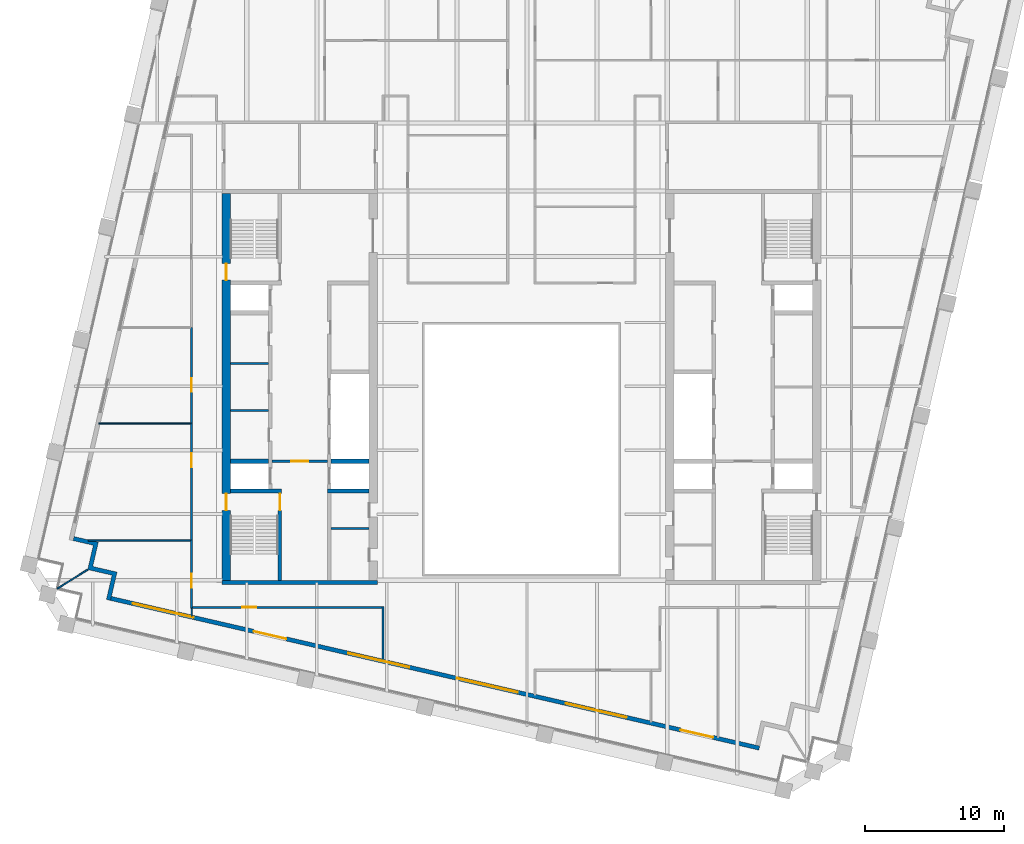
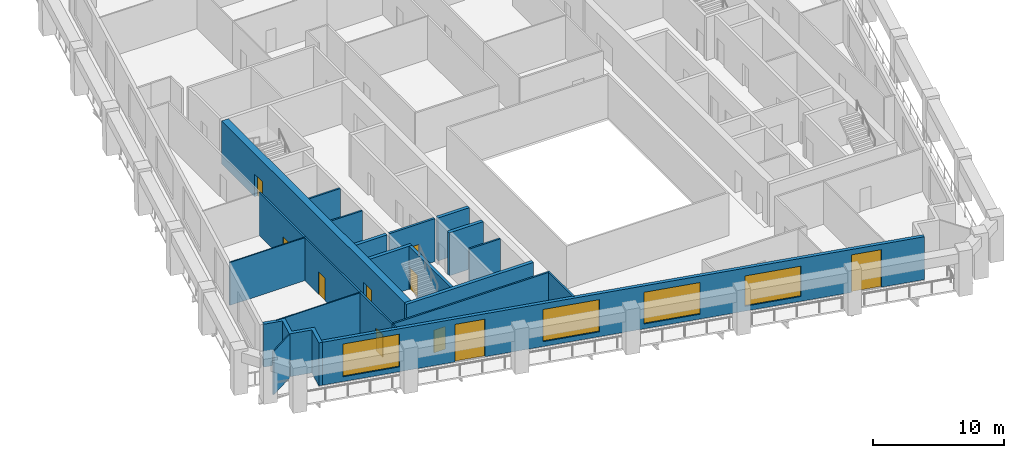
# One storey, part 3 of 9: 22 walls, 10 doors, 4 windows, 14 openings.
"""IFC4 building model written with IfcOpenShell, lengths in metres."""

from ifc_helpers import new_model, si_unit, direction, frame, frame_2d, origin, place, context, subcontext, project, spatial, polyline, rectangle, outline, extrude, material, layer, layer_set, type_object, element, fill, save


model = new_model("IFC4")

# Units and contexts
model_context = context("Model", 3, precision=1e-05, world=origin(), true_north=direction((0.0, 1.0)))
body_context = subcontext(model_context, "Body", "Model", "MODEL_VIEW")
ifc_project = project(units=[si_unit("LENGTHUNIT", "METRE"), si_unit("AREAUNIT", "SQUARE_METRE"), si_unit("VOLUMEUNIT", "CUBIC_METRE"), si_unit("PLANEANGLEUNIT", "RADIAN"), si_unit("MASSUNIT", "GRAM", prefix="KILO")], contexts=[model_context])

# Site, building, storey
site_placement = place(None, origin())
site = spatial("IfcSite", under=ifc_project, at=site_placement, CompositionType="ELEMENT")
building_placement = place(site_placement, origin())
building = spatial("IfcBuilding", under=site, at=building_placement, Name="Ogive Exchange Tower", CompositionType="ELEMENT")
storey_placement = place(building_placement, frame((0.0, 0.0, 276.60009765625)))
storey = spatial("IfcBuildingStorey", under=building, at=storey_placement, Name="L60", CompositionType="ELEMENT", Elevation=276.60009765625)

# Walls
ifc_material_1 = material(Name="Gypsum board partition")
ifc_layer_1 = layer(ifc_material_1, 0.14990234375)
ifc_layer_set_1 = layer_set([ifc_layer_1], Name="Core room partition 150 gypsum")
wall_type_1 = type_object("IfcWallType", Name="Core room partition 150 gypsum", PredefinedType="PARTITIONING", material=ifc_layer_set_1)
for number, where, z_axis, x_axis, name in (
    (1, (-21.0, 9.800048828125, 0.0), (0.0, 0.0, 1.0), (1.0, 0.0, 0.0), "W row A bay partition 1-1"),
    (2, (-21.0, 13.199951171875, 0.0), (0.0, 0.0, 1.0), (1.0, 0.0, 0.0), "W row A bay partition 1-2"),
    (3, (-13.75, 1.300048828125, 0.0), (0.0, 0.0, 1.0), (1.0, 0.0, 0.0), "W south room partition"),
):
    element("IfcWall", number, at=place(storey_placement, frame(where, z_axis=z_axis, x_axis=x_axis)), inside=storey, type_object=wall_type_1, Name=name, PredefinedType="PARTITIONING", context=body_context, shape_type="SweptSolid", body=[
        extrude(rectangle(XDim=2.75, YDim=0.14990234375, at=frame_2d((1.375, 0.0))), origin(), (0.0, 0.0, 1.0), 4.0),
    ])

# Wall, opening, door
ifc_material_2 = material(Name="Fire partition EI 60 150")
ifc_layer_2 = layer(ifc_material_2, 0.14990234375)
ifc_layer_set_2 = layer_set([ifc_layer_2], Name="Fire partition EI 60 150")
wall_type_2 = type_object("IfcWallType", Name="Fire partition EI 60 150", PredefinedType="PARTITIONING", material=ifc_layer_set_2)
wall_1_placement = place(storey_placement, frame((-23.800048828125, -4.47509765625, 0.0), z_axis=(0.0, 0.0, 1.0), x_axis=(0.0, 1.0, 0.0)))
wall_1 = element("IfcWall", 4, at=wall_1_placement, inside=storey, type_object=wall_type_2, Name="L60-PWL-002", PredefinedType="PARTITIONING", context=body_context, shape_type="SweptSolid", body=[
    extrude(rectangle(XDim=4.93505859375, YDim=0.14990234375, at=frame_2d((2.467529296875, 0.0))), origin(), (0.0, 0.0, 1.0), 4.0),
])
opening_1_placement = place(wall_1_placement, frame((1.485107421875, 0.0, 0.0)))
opening_1 = element("IfcOpeningElement", 5, at=opening_1_placement, cuts=wall_1, Name="Opening L60-I25", PredefinedType="OPENING", context=body_context, shape_type="SweptSolid", body=[
    extrude(rectangle(XDim=1.0, YDim=2.10009765625, at=frame_2d((0.5, 1.050048828125))), frame((0.0, 0.0849609375, 0.0), z_axis=(0.0, -1.0, 0.0), x_axis=(1.0, 0.0, 0.0)), (0.0, 0.0, 1.0), 0.169921875),
])
ifc_material_3 = material(Name="Fire door FD 30S 1000 x 2100")
door_type_1 = type_object("IfcDoorType", Name="Fire door FD 30S 1000 x 2100", OperationType="NOTDEFINED", PredefinedType="DOOR", material=ifc_material_3)
door_1_placement = place(opening_1_placement, origin())
door_1 = element("IfcDoor", 6, at=door_1_placement, inside=storey, type_object=door_type_1, Name="L60-IDR-025", ObjectType="DT3", OperationType="SINGLE_SWING_RIGHT", OverallHeight=2.10009765625, OverallWidth=1.0, PredefinedType="DOOR", context=body_context, shape_type="SweptSolid", body=[
    extrude(rectangle(XDim=1.0, YDim=2.10009765625, at=frame_2d((0.5, 1.050048828125))), frame((0.0, 0.02490234375, 0.0), z_axis=(0.0, -1.0, 0.0), x_axis=(1.0, 0.0, 0.0)), (0.0, 0.0, 1.0), 0.050048828125),
])
fill(opening_1, door_1)

wall_2_placement = place(storey_placement, frame((-23.800048828125, 0.409912109375, 0.0), z_axis=(0.0, 0.0, 1.0), x_axis=(0.0, 1.0, 0.0)))
wall_2 = element("IfcWall", 7, at=wall_2_placement, inside=storey, type_object=wall_type_2, Name="L60-PWL-004", PredefinedType="PARTITIONING", context=body_context, shape_type="SweptSolid", body=[
    extrude(rectangle(XDim=8.5, YDim=0.14990234375, at=frame_2d((4.25, 0.0))), origin(), (0.0, 0.0, 1.0), 4.0),
])
opening_2_placement = place(wall_2_placement, frame((5.300048828125, 0.0, 0.0)))
opening_2 = element("IfcOpeningElement", 8, at=opening_2_placement, cuts=wall_2, Name="Opening L60-I24", PredefinedType="OPENING", context=body_context, shape_type="SweptSolid", body=[
    extrude(rectangle(XDim=1.0, YDim=2.10009765625, at=frame_2d((0.5, 1.050048828125))), frame((0.0, 0.0849609375, 0.0), z_axis=(0.0, -1.0, 0.0), x_axis=(1.0, 0.0, 0.0)), (0.0, 0.0, 1.0), 0.169921875),
])
door_2_placement = place(opening_2_placement, origin())
door_2 = element("IfcDoor", 9, at=door_2_placement, inside=storey, type_object=door_type_1, Name="L60-IDR-024", ObjectType="DT3", OperationType="SINGLE_SWING_LEFT", OverallHeight=2.10009765625, OverallWidth=1.0, PredefinedType="DOOR", context=body_context, shape_type="SweptSolid", body=[
    extrude(rectangle(XDim=1.0, YDim=2.10009765625, at=frame_2d((0.5, 1.050048828125))), frame((0.0, 0.02490234375, 0.0), z_axis=(0.0, -1.0, 0.0), x_axis=(1.0, 0.0, 0.0)), (0.0, 0.0, 1.0), 0.050048828125),
])
fill(opening_2, door_2)

wall_3_placement = place(storey_placement, frame((-23.800048828125, 8.909912109375, 0.0), z_axis=(0.0, 0.0, 1.0), x_axis=(0.0, 1.0, 0.0)))
wall_3 = element("IfcWall", 10, at=wall_3_placement, inside=storey, type_object=wall_type_2, Name="L60-PWL-006", PredefinedType="PARTITIONING", context=body_context, shape_type="SweptSolid", body=[
    extrude(rectangle(XDim=6.880126953125, YDim=0.14990234375, at=frame_2d((3.43994140625, 0.0))), origin(), (0.0, 0.0, 1.0), 4.0),
])
opening_3_placement = place(wall_3_placement, frame((2.22998046875, 0.0, 0.0)))
opening_3 = element("IfcOpeningElement", 11, at=opening_3_placement, cuts=wall_3, Name="Opening L60-I23", PredefinedType="OPENING", context=body_context, shape_type="SweptSolid", body=[
    extrude(rectangle(XDim=1.0, YDim=2.10009765625, at=frame_2d((0.5, 1.050048828125))), frame((0.0, 0.0849609375, 0.0), z_axis=(0.0, -1.0, 0.0), x_axis=(1.0, 0.0, 0.0)), (0.0, 0.0, 1.0), 0.169921875),
])
door_3_placement = place(opening_3_placement, origin())
door_3 = element("IfcDoor", 12, at=door_3_placement, inside=storey, type_object=door_type_1, Name="L60-IDR-023", ObjectType="DT3", OperationType="SINGLE_SWING_RIGHT", OverallHeight=2.10009765625, OverallWidth=1.0, PredefinedType="DOOR", context=body_context, shape_type="SweptSolid", body=[
    extrude(rectangle(XDim=1.0, YDim=2.10009765625, at=frame_2d((0.5, 1.050048828125))), frame((0.0, 0.02490234375, 0.0), z_axis=(0.0, -1.0, 0.0), x_axis=(1.0, 0.0, 0.0)), (0.0, 0.0, 1.0), 0.050048828125),
])
fill(opening_3, door_3)

# Wall
wall_4_placement = place(storey_placement, frame((-10.0, -8.216064453125, 0.0), z_axis=(0.0, 0.0, 1.0), x_axis=(0.0, 1.0, 0.0)))
element("IfcWall", 13, at=wall_4_placement, inside=storey, type_object=wall_type_2, Name="L60-PWL-020", PredefinedType="PARTITIONING", context=body_context, shape_type="SweptSolid", body=[
    extrude(rectangle(XDim=3.89111328125, YDim=0.14990234375, at=frame_2d((1.945556640625, 0.0))), origin(), (0.0, 0.0, 1.0), 4.0),
])

# Wall, opening, door
wall_5_placement = place(storey_placement, frame((-10.074951171875, -4.39990234375, 0.0), z_axis=(0.0, 0.0, 1.0), x_axis=(-1.0, 0.0, 0.0)))
wall_5 = element("IfcWall", 14, at=wall_5_placement, inside=storey, type_object=wall_type_2, Name="L60-PWL-021", PredefinedType="PARTITIONING", context=body_context, shape_type="SweptSolid", body=[
    extrude(rectangle(XDim=13.64013671875, YDim=0.14990234375, at=frame_2d((6.820068359375, 0.0))), origin(), (0.0, 0.0, 1.0), 4.0),
])
opening_4_placement = place(wall_5_placement, frame((9.06494140625, 0.0, 0.0)))
opening_4 = element("IfcOpeningElement", 15, at=opening_4_placement, cuts=wall_5, Name="Opening L60-I14", PredefinedType="OPENING", context=body_context, shape_type="SweptSolid", body=[
    extrude(rectangle(XDim=1.0, YDim=2.10009765625, at=frame_2d((0.5, 1.050048828125))), frame((0.0, 0.0849609375, 0.0), z_axis=(0.0, -1.0, 0.0), x_axis=(1.0, 0.0, 0.0)), (0.0, 0.0, 1.0), 0.169921875),
])
door_4_placement = place(opening_4_placement, origin())
door_4 = element("IfcDoor", 16, at=door_4_placement, inside=storey, type_object=door_type_1, Name="L60-IDR-014", ObjectType="DT3", OperationType="SINGLE_SWING_LEFT", OverallHeight=2.10009765625, OverallWidth=1.0, PredefinedType="DOOR", context=body_context, shape_type="SweptSolid", body=[
    extrude(rectangle(XDim=1.0, YDim=2.10009765625, at=frame_2d((0.5, 1.050048828125))), frame((0.0, 0.02490234375, 0.0), z_axis=(0.0, -1.0, 0.0), x_axis=(1.0, 0.0, 0.0)), (0.0, 0.0, 1.0), 0.050048828125),
])
fill(opening_4, door_4)

# Wall, openings, doors, windows
ifc_material_4 = material(Name="Precast concrete C40/50", Category="concrete")
ifc_layer_3 = layer(ifc_material_4, 0.300048828125)
ifc_layer_set_3 = layer_set([ifc_layer_3], Name="Limestone-faced wall 300")
wall_type_3 = type_object("IfcWallType", Name="Limestone-faced wall 300", PredefinedType="STANDARD", material=ifc_layer_set_3)
wall_6_placement = place(storey_placement, frame((-29.6162109375, -3.75830078125, 0.0), z_axis=(0.0, 0.0, 1.0), x_axis=(0.974370532314, -0.224949029246, 0.0)))
wall_6 = element("IfcWall", 17, at=wall_6_placement, inside=storey, type_object=wall_type_3, Name="External wall S1", PredefinedType="STANDARD", context=body_context, shape_type="SweptSolid", body=[
    extrude(rectangle(XDim=48.000244140625, YDim=0.300048828125, at=frame_2d((24.0, 0.0))), origin(), (0.0, 0.0, 1.0), 4.0),
])
opening_5_placement = place(wall_6_placement, frame((1.625, 0.0, 0.449951171875)))
opening_5 = element("IfcOpeningElement", 18, at=opening_5_placement, cuts=wall_6, Name="Opening W1", PredefinedType="OPENING", context=body_context, shape_type="SweptSolid", body=[
    extrude(rectangle(XDim=4.5, YDim=3.050048828125, at=frame_2d((2.25, 1.52490234375))), frame((0.0, 0.159912109375, 0.0), z_axis=(0.0, -1.0, 0.0), x_axis=(1.0, 0.0, 0.0)), (0.0, 0.0, 1.0), 0.320068359375),
])
opening_6_placement = place(wall_6_placement, frame((10.574951171875, 0.0, 0.0)))
opening_6 = element("IfcOpeningElement", 19, at=opening_6_placement, cuts=wall_6, Name="Opening D1", PredefinedType="OPENING", context=body_context, shape_type="SweptSolid", body=[
    extrude(rectangle(XDim=2.39990234375, YDim=3.5, at=frame_2d((1.199951171875, 1.75))), frame((0.0, 0.159912109375, 0.0), z_axis=(0.0, -1.0, 0.0), x_axis=(1.0, 0.0, 0.0)), (0.0, 0.0, 1.0), 0.320068359375),
])
opening_7_placement = place(wall_6_placement, frame((17.574951171875, 0.0, 0.449951171875)))
opening_7 = element("IfcOpeningElement", 20, at=opening_7_placement, cuts=wall_6, Name="Opening W1A", PredefinedType="OPENING", context=body_context, shape_type="SweptSolid", body=[
    extrude(rectangle(XDim=4.5, YDim=3.0, at=frame_2d((2.25, 1.5))), frame((0.0, 0.159912109375, 0.0), z_axis=(0.0, -1.0, 0.0), x_axis=(1.0, 0.0, 0.0)), (0.0, 0.0, 1.0), 0.320068359375),
])
opening_8_placement = place(wall_6_placement, frame((25.625, 0.0, 0.449951171875)))
opening_8 = element("IfcOpeningElement", 21, at=opening_8_placement, cuts=wall_6, Name="Opening W1B", PredefinedType="OPENING", context=body_context, shape_type="SweptSolid", body=[
    extrude(rectangle(XDim=4.5, YDim=2.949951171875, at=frame_2d((2.25, 1.47509765625))), frame((0.0, 0.159912109375, 0.0), z_axis=(0.0, -1.0, 0.0), x_axis=(1.0, 0.0, 0.0)), (0.0, 0.0, 1.0), 0.320068359375),
])
opening_9_placement = place(wall_6_placement, frame((33.675048828125, 0.0, 0.449951171875)))
opening_9 = element("IfcOpeningElement", 22, at=opening_9_placement, cuts=wall_6, Name="Opening W1E", PredefinedType="OPENING", context=body_context, shape_type="SweptSolid", body=[
    extrude(rectangle(XDim=4.5, YDim=2.824951171875, at=frame_2d((2.25, 1.41259765625))), frame((0.0, 0.159912109375, 0.0), z_axis=(0.0, -1.0, 0.0), x_axis=(1.0, 0.0, 0.0)), (0.0, 0.0, 1.0), 0.320068359375),
])
opening_10_placement = place(wall_6_placement, frame((42.175048828125, 0.0, 0.0)))
opening_10 = element("IfcOpeningElement", 23, at=opening_10_placement, cuts=wall_6, Name="Opening D1", PredefinedType="OPENING", context=body_context, shape_type="SweptSolid", body=[
    extrude(rectangle(XDim=2.39990234375, YDim=3.5, at=frame_2d((1.199951171875, 1.75))), frame((0.0, 0.159912109375, 0.0), z_axis=(0.0, -1.0, 0.0), x_axis=(1.0, 0.0, 0.0)), (0.0, 0.0, 1.0), 0.320068359375),
])
ifc_material_5 = material(Name="Clear glass in bronze frame", Category="glass")
door_type_2 = type_object("IfcDoorType", Name="Sliding loggia door 2400 x 3500", OperationType="DOUBLE_DOOR_SLIDING", PredefinedType="DOOR", material=ifc_material_5)
door_5_placement = place(opening_6_placement, origin())
door_5 = element("IfcDoor", 24, at=door_5_placement, inside=storey, type_object=door_type_2, Name="Loggia door S01", OperationType="DOUBLE_DOOR_SLIDING", OverallHeight=3.5, OverallWidth=2.39990234375, PredefinedType="DOOR", context=body_context, shape_type="SweptSolid", body=[
    extrude(rectangle(XDim=2.39990234375, YDim=3.5, at=frame_2d((1.199951171875, 1.75))), frame((0.0, 0.02490234375, 0.0), z_axis=(0.0, -1.0, 0.0), x_axis=(1.0, 0.0, 0.0)), (0.0, 0.0, 1.0), 0.050048828125),
])
fill(opening_6, door_5)
door_6_placement = place(opening_10_placement, origin())
door_6 = element("IfcDoor", 25, at=door_6_placement, inside=storey, type_object=door_type_2, Name="Loggia door S05", OperationType="DOUBLE_DOOR_SLIDING", OverallHeight=3.5, OverallWidth=2.39990234375, PredefinedType="DOOR", context=body_context, shape_type="SweptSolid", body=[
    extrude(rectangle(XDim=2.39990234375, YDim=3.5, at=frame_2d((1.199951171875, 1.75))), frame((0.0, 0.02490234375, 0.0), z_axis=(0.0, -1.0, 0.0), x_axis=(1.0, 0.0, 0.0)), (0.0, 0.0, 1.0), 0.050048828125),
])
fill(opening_10, door_6)
window_type_1 = type_object("IfcWindowType", Name="Twin lancet window 4500 x 2825", PartitioningType="DOUBLE_PANEL_VERTICAL", PredefinedType="WINDOW", material=ifc_material_5)
window_1_placement = place(opening_9_placement, origin())
window_1 = element("IfcWindow", 26, at=window_1_placement, inside=storey, type_object=window_type_1, Name="Window S04", OverallHeight=2.824951171875, OverallWidth=4.5, PartitioningType="DOUBLE_PANEL_VERTICAL", PredefinedType="WINDOW", context=body_context, shape_type="SweptSolid", body=[
    extrude(rectangle(XDim=4.5, YDim=2.824951171875, at=frame_2d((2.25, 1.41259765625))), frame((0.0, 0.030029296875, 0.0), z_axis=(0.0, -1.0, 0.0), x_axis=(1.0, 0.0, 0.0)), (0.0, 0.0, 1.0), 0.06005859375),
])
fill(opening_9, window_1)
window_type_2 = type_object("IfcWindowType", Name="Twin lancet window 4500 x 2950", PartitioningType="DOUBLE_PANEL_VERTICAL", PredefinedType="WINDOW", material=ifc_material_5)
window_2_placement = place(opening_8_placement, origin())
window_2 = element("IfcWindow", 27, at=window_2_placement, inside=storey, type_object=window_type_2, Name="Window S03", OverallHeight=2.949951171875, OverallWidth=4.5, PartitioningType="DOUBLE_PANEL_VERTICAL", PredefinedType="WINDOW", context=body_context, shape_type="SweptSolid", body=[
    extrude(rectangle(XDim=4.5, YDim=2.949951171875, at=frame_2d((2.25, 1.47509765625))), frame((0.0, 0.030029296875, 0.0), z_axis=(0.0, -1.0, 0.0), x_axis=(1.0, 0.0, 0.0)), (0.0, 0.0, 1.0), 0.06005859375),
])
fill(opening_8, window_2)
window_type_3 = type_object("IfcWindowType", Name="Twin lancet window 4500 x 3000", PartitioningType="DOUBLE_PANEL_VERTICAL", PredefinedType="WINDOW", material=ifc_material_5)
window_3_placement = place(opening_7_placement, origin())
window_3 = element("IfcWindow", 28, at=window_3_placement, inside=storey, type_object=window_type_3, Name="Window S02", OverallHeight=3.0, OverallWidth=4.5, PartitioningType="DOUBLE_PANEL_VERTICAL", PredefinedType="WINDOW", context=body_context, shape_type="SweptSolid", body=[
    extrude(rectangle(XDim=4.5, YDim=3.0, at=frame_2d((2.25, 1.5))), frame((0.0, 0.030029296875, 0.0), z_axis=(0.0, -1.0, 0.0), x_axis=(1.0, 0.0, 0.0)), (0.0, 0.0, 1.0), 0.06005859375),
])
fill(opening_7, window_3)
window_type_4 = type_object("IfcWindowType", Name="Twin lancet window 4500 x 3050", PartitioningType="DOUBLE_PANEL_VERTICAL", PredefinedType="WINDOW", material=ifc_material_5)
window_4_placement = place(opening_5_placement, origin())
window_4 = element("IfcWindow", 29, at=window_4_placement, inside=storey, type_object=window_type_4, Name="Window S00", OverallHeight=3.050048828125, OverallWidth=4.5, PartitioningType="DOUBLE_PANEL_VERTICAL", PredefinedType="WINDOW", context=body_context, shape_type="SweptSolid", body=[
    extrude(rectangle(XDim=4.5, YDim=3.050048828125, at=frame_2d((2.25, 1.52490234375))), frame((0.0, 0.030029296875, 0.0), z_axis=(0.0, -1.0, 0.0), x_axis=(1.0, 0.0, 0.0)), (0.0, 0.0, 1.0), 0.06005859375),
])
fill(opening_5, window_4)

# Walls
wall_7_placement = place(storey_placement, origin())
element("IfcWall", 30, at=wall_7_placement, inside=storey, type_object=wall_type_3, Name="External corner wall C4", PredefinedType="STANDARD", context=body_context, shape_type="SweptSolid", body=[
    extrude(outline(polyline([(-31.291015625, -1.67822265625), (-30.88623046875, 0.07568359375), (-32.34765625, 0.4130859375), (-32.2802734375, 0.705322265625), (-30.5263671875, 0.300537109375), (-30.931396484375, -1.453369140625), (-29.177490234375, -1.8583984375), (-29.64990234375, -3.904541015625), (-29.942138671875, -3.8369140625), (-29.537109375, -2.0830078125), (-31.291015625, -1.67822265625)])), origin(), (0.0, 0.0, 1.0), 4.0),
])
ifc_material_6 = material(Name="Laminated safety glass in steel frame", Category="steel")
ifc_layer_4 = layer(ifc_material_6, 0.10009765625)
ifc_layer_set_4 = layer_set([ifc_layer_4], Name="Loggia end screen 100")
wall_type_4 = type_object("IfcWallType", Name="Loggia end screen 100", PredefinedType="STANDARD", material=ifc_layer_set_4)
wall_8_placement = place(storey_placement, frame((-31.291015625, -1.67822265625, -0.050048828125), z_axis=(0.0, 0.0, 1.0), x_axis=(-0.84807753525, -0.529872148923, 0.0)))
element("IfcWall", 31, at=wall_8_placement, inside=storey, type_object=wall_type_4, Name="Loggia end screen C4", PredefinedType="STANDARD", context=body_context, shape_type="SweptSolid", body=[
    extrude(rectangle(XDim=2.596435546875, YDim=0.10009765625, at=frame_2d((1.29833984375, 0.0))), origin(), (0.0, 0.0, 1.0), 4.050048828125),
])
ifc_material_7 = material(Name="Partition 100 gypsum")
ifc_layer_5 = layer(ifc_material_7, 0.10009765625)
ifc_layer_set_5 = layer_set([ifc_layer_5], Name="Partition 100 gypsum")
wall_type_5 = type_object("IfcWallType", Name="Partition 100 gypsum", PredefinedType="PARTITIONING", material=ifc_layer_set_5)
wall_9_placement = place(storey_placement, frame((-23.875, 0.409912109375, 0.0), z_axis=(0.0, 0.0, 1.0), x_axis=(-1.0, 0.0, 0.0)))
element("IfcWall", 32, at=wall_9_placement, inside=storey, type_object=wall_type_5, Name="L60-PWL-003", PredefinedType="PARTITIONING", context=body_context, shape_type="SweptSolid", body=[
    extrude(rectangle(XDim=7.3701171875, YDim=0.10009765625, at=frame_2d((3.68505859375, 0.0))), origin(), (0.0, 0.0, 1.0), 4.0),
])
wall_10_placement = place(storey_placement, frame((-23.875, 8.860107421875, 0.0), z_axis=(0.0, 0.0, 1.0), x_axis=(-1.0, 0.0, 0.0)))
element("IfcWall", 33, at=wall_10_placement, inside=storey, type_object=wall_type_5, Name="L60-PWL-005", PredefinedType="PARTITIONING", context=body_context, shape_type="SweptSolid", body=[
    extrude(rectangle(XDim=6.60498046875, YDim=0.10009765625, at=frame_2d((3.302490234375, 0.0))), origin(), (0.0, 0.0, 1.0), 4.0),
])
wall_11_placement = place(storey_placement, frame((-23.7900390625, -5.031982421875, 0.0), z_axis=(0.0, 0.0, 1.0), x_axis=(0.0, 1.0, 0.0)))
element("IfcWall", 34, at=wall_11_placement, inside=storey, type_object=wall_type_5, Name="L60-PWL-011", PredefinedType="PARTITIONING", context=body_context, shape_type="SweptSolid", body=[
    extrude(rectangle(XDim=0.556884765625, YDim=0.10009765625, at=frame_2d((0.2783203125, 0.0))), origin(), (0.0, 0.0, 1.0), 4.0),
])

# Wall, opening, door
ifc_material_8 = material(Name="Concrete C70/85", Category="concrete")
ifc_layer_6 = layer(ifc_material_8, 0.199951171875)
ifc_layer_set_6 = layer_set([ifc_layer_6], Name="RC core wall 200 C70/85")
wall_type_6 = type_object("IfcWallType", Name="RC core wall 200 C70/85", PredefinedType="SHEAR", material=ifc_layer_set_6)
wall_12_placement = place(storey_placement, frame((-18.0, 6.142822265625, 0.0), z_axis=(0.0, 0.0, 1.0), x_axis=(1.0, 0.0, 0.0)))
wall_12 = element("IfcWall", 35, at=wall_12_placement, inside=storey, type_object=wall_type_6, Name="W firefighting lobby wall", PredefinedType="SHEAR", context=body_context, shape_type="SweptSolid", body=[
    extrude(rectangle(XDim=4.0, YDim=0.199951171875, at=frame_2d((2.0, 0.0))), origin(), (0.0, 0.0, 1.0), 4.0),
])
opening_11_placement = place(wall_12_placement, frame((1.39990234375, 0.0, 0.0)))
opening_11 = element("IfcOpeningElement", 36, at=opening_11_placement, cuts=wall_12, Name="Opening L60-C11", PredefinedType="OPENING", context=body_context, shape_type="SweptSolid", body=[
    extrude(rectangle(XDim=1.199951171875, YDim=2.10009765625, at=frame_2d((0.60009765625, 1.050048828125))), frame((0.0, 0.10986328125, 0.0), z_axis=(0.0, -1.0, 0.0), x_axis=(1.0, 0.0, 0.0)), (0.0, 0.0, 1.0), 0.219970703125),
])
ifc_material_9 = material(Name="Steel fire door", Category="steel")
door_type_3 = type_object("IfcDoorType", Name="Firefighting lobby door FD60 1200 x 2100", OperationType="NOTDEFINED", PredefinedType="DOOR", material=ifc_material_9)
door_7_placement = place(opening_11_placement, frame((1.199951171875, 0.0, 0.0), z_axis=(0.0, 0.0, 1.0), x_axis=(-1.0, 0.0, 0.0)))
door_7 = element("IfcDoor", 37, at=door_7_placement, inside=storey, type_object=door_type_3, Name="Firefighting lobby door", ObjectType="CD3", OperationType="SINGLE_SWING_RIGHT", OverallHeight=2.10009765625, OverallWidth=1.199951171875, PredefinedType="DOOR", context=body_context, shape_type="SweptSolid", body=[
    extrude(rectangle(XDim=1.199951171875, YDim=2.10009765625, at=frame_2d((0.60009765625, 1.050048828125))), frame((0.0, 0.02490234375, 0.0), z_axis=(0.0, -1.0, 0.0), x_axis=(1.0, 0.0, 0.0)), (0.0, 0.0, 1.0), 0.050048828125),
])
fill(opening_11, door_7)

ifc_layer_7 = layer(ifc_material_8, 0.25)
ifc_layer_set_7 = layer_set([ifc_layer_7], Name="RC core wall 250 C70/85")
wall_type_7 = type_object("IfcWallType", Name="RC core wall 250 C70/85", PredefinedType="SHEAR", material=ifc_layer_set_7)
wall_13_placement = place(storey_placement, frame((-17.425048828125, -2.449951171875, 0.0), z_axis=(0.0, 0.0, 1.0), x_axis=(0.0, 1.0, 0.0)))
wall_13 = element("IfcWall", 38, at=wall_13_placement, inside=storey, type_object=wall_type_7, Name="W stair S front wall", PredefinedType="SHEAR", context=body_context, shape_type="SweptSolid", body=[
    extrude(rectangle(XDim=6.300048828125, YDim=0.25, at=frame_2d((3.14990234375, 0.0))), origin(), (0.0, 0.0, 1.0), 4.0),
])
opening_12_placement = place(wall_13_placement, frame((5.050048828125, 0.0, 0.0)))
opening_12 = element("IfcOpeningElement", 39, at=opening_12_placement, cuts=wall_13, Name="Opening L60-C13", PredefinedType="OPENING", context=body_context, shape_type="SweptSolid", body=[
    extrude(rectangle(XDim=1.199951171875, YDim=2.10009765625, at=frame_2d((0.60009765625, 1.050048828125))), frame((0.0, 0.135009765625, 0.0), z_axis=(0.0, -1.0, 0.0), x_axis=(1.0, 0.0, 0.0)), (0.0, 0.0, 1.0), 0.27001953125),
])
door_type_4 = type_object("IfcDoorType", Name="Stair door FD90 1200 x 2100", OperationType="NOTDEFINED", PredefinedType="DOOR", material=ifc_material_9)
door_8_placement = place(opening_12_placement, origin())
door_8 = element("IfcDoor", 40, at=door_8_placement, inside=storey, type_object=door_type_4, Name="Stair door", ObjectType="CD5", OperationType="SINGLE_SWING_LEFT", OverallHeight=2.10009765625, OverallWidth=1.199951171875, PredefinedType="DOOR", context=body_context, shape_type="SweptSolid", body=[
    extrude(rectangle(XDim=1.199951171875, YDim=2.10009765625, at=frame_2d((0.60009765625, 1.050048828125))), frame((0.0, 0.02490234375, 0.0), z_axis=(0.0, -1.0, 0.0), x_axis=(1.0, 0.0, 0.0)), (0.0, 0.0, 1.0), 0.050048828125),
])
fill(opening_12, door_8)

# Walls
ifc_layer_8 = layer(ifc_material_8, 0.300048828125)
ifc_layer_set_8 = layer_set([ifc_layer_8], Name="RC core wall 300 C70/85")
wall_type_8 = type_object("IfcWallType", Name="RC core wall 300 C70/85", PredefinedType="SHEAR", material=ifc_layer_set_8)
wall_14_placement = place(storey_placement, frame((-21.60009765625, -2.60009765625, 0.0), z_axis=(0.0, 0.0, 1.0), x_axis=(1.0, 0.0, 0.0)))
element("IfcWall", 41, at=wall_14_placement, inside=storey, type_object=wall_type_8, Name="W south end wall", PredefinedType="SHEAR", context=body_context, shape_type="SweptSolid", body=[
    extrude(rectangle(XDim=11.2001953125, YDim=0.300048828125, at=frame_2d((5.60009765625, 0.0))), origin(), (0.0, 0.0, 1.0), 4.0),
])
wall_15_placement = place(storey_placement, frame((-21.0, 4.0, 0.0), z_axis=(0.0, 0.0, 1.0), x_axis=(1.0, 0.0, 0.0)))
element("IfcWall", 42, at=wall_15_placement, inside=storey, type_object=wall_type_8, Name="W stair S north wall", PredefinedType="SHEAR", context=body_context, shape_type="SweptSolid", body=[
    extrude(rectangle(XDim=3.699951171875, YDim=0.300048828125, at=frame_2d((1.85009765625, 0.0))), origin(), (0.0, 0.0, 1.0), 4.0),
])
wall_16_placement = place(storey_placement, frame((-21.0, 6.142822265625, 0.0), z_axis=(0.0, 0.0, 1.0), x_axis=(1.0, 0.0, 0.0)))
element("IfcWall", 43, at=wall_16_placement, inside=storey, type_object=wall_type_8, Name="W row A divider 1", PredefinedType="SHEAR", context=body_context, shape_type="SweptSolid", body=[
    extrude(rectangle(XDim=2.75, YDim=0.300048828125, at=frame_2d((1.375, 0.0))), origin(), (0.0, 0.0, 1.0), 4.0),
])
wall_17_placement = place(storey_placement, frame((-14.0, 4.0, 0.0), z_axis=(0.0, 0.0, 1.0), x_axis=(1.0, 0.0, 0.0)))
element("IfcWall", 44, at=wall_17_placement, inside=storey, type_object=wall_type_8, Name="W row B divider 0", PredefinedType="SHEAR", context=body_context, shape_type="SweptSolid", body=[
    extrude(rectangle(XDim=3.0, YDim=0.300048828125, at=frame_2d((1.5, 0.0))), origin(), (0.0, 0.0, 1.0), 4.0),
])
wall_18_placement = place(storey_placement, frame((-13.75, 6.142822265625, 0.0), z_axis=(0.0, 0.0, 1.0), x_axis=(1.0, 0.0, 0.0)))
element("IfcWall", 45, at=wall_18_placement, inside=storey, type_object=wall_type_8, Name="W row B divider 1", PredefinedType="SHEAR", context=body_context, shape_type="SweptSolid", body=[
    extrude(rectangle(XDim=2.75, YDim=0.300048828125, at=frame_2d((1.375, 0.0))), origin(), (0.0, 0.0, 1.0), 4.0),
])

# Wall, openings, doors
ifc_layer_9 = layer(ifc_material_8, 0.60009765625)
ifc_layer_set_9 = layer_set([ifc_layer_9], Name="RC core wall 600 C70/85")
wall_type_9 = type_object("IfcWallType", Name="RC core wall 600 C70/85", PredefinedType="SHEAR", material=ifc_layer_set_9)
wall_19_placement = place(storey_placement, frame((-21.300048828125, -2.449951171875, 0.0), z_axis=(0.0, 0.0, 1.0), x_axis=(0.0, 1.0, 0.0)))
wall_19 = element("IfcWall", 46, at=wall_19_placement, inside=storey, type_object=wall_type_9, Name="W outer wall", PredefinedType="SHEAR", context=body_context, shape_type="SweptSolid", body=[
    extrude(rectangle(XDim=27.89990234375, YDim=0.60009765625, at=frame_2d((13.949951171875, 0.0))), origin(), (0.0, 0.0, 1.0), 4.0),
])
opening_13_placement = place(wall_19_placement, frame((5.050048828125, 0.0, 0.0)))
opening_13 = element("IfcOpeningElement", 47, at=opening_13_placement, cuts=wall_19, Name="Opening L60-C14", PredefinedType="OPENING", context=body_context, shape_type="SweptSolid", body=[
    extrude(rectangle(XDim=1.199951171875, YDim=2.10009765625, at=frame_2d((0.60009765625, 1.050048828125))), frame((0.0, 0.31005859375, 0.0), z_axis=(0.0, -1.0, 0.0), x_axis=(1.0, 0.0, 0.0)), (0.0, 0.0, 1.0), 0.6201171875),
])
opening_14_placement = place(wall_19_placement, frame((21.64990234375, 0.0, 0.0)))
opening_14 = element("IfcOpeningElement", 48, at=opening_14_placement, cuts=wall_19, Name="Opening L60-C16", PredefinedType="OPENING", context=body_context, shape_type="SweptSolid", body=[
    extrude(rectangle(XDim=1.199951171875, YDim=2.10009765625, at=frame_2d((0.60009765625, 1.050048828125))), frame((0.0, 0.31005859375, 0.0), z_axis=(0.0, -1.0, 0.0), x_axis=(1.0, 0.0, 0.0)), (0.0, 0.0, 1.0), 0.6201171875),
])
door_9_placement = place(opening_13_placement, origin())
door_9 = element("IfcDoor", 49, at=door_9_placement, inside=storey, type_object=door_type_4, Name="Stair door", ObjectType="CD5", OperationType="SINGLE_SWING_RIGHT", OverallHeight=2.10009765625, OverallWidth=1.199951171875, PredefinedType="DOOR", context=body_context, shape_type="SweptSolid", body=[
    extrude(rectangle(XDim=1.199951171875, YDim=2.10009765625, at=frame_2d((0.60009765625, 1.050048828125))), frame((0.0, 0.02490234375, 0.0), z_axis=(0.0, -1.0, 0.0), x_axis=(1.0, 0.0, 0.0)), (0.0, 0.0, 1.0), 0.050048828125),
])
fill(opening_13, door_9)
door_10_placement = place(opening_14_placement, origin())
door_10 = element("IfcDoor", 50, at=door_10_placement, inside=storey, type_object=door_type_4, Name="Stair door", ObjectType="CD5", OperationType="SINGLE_SWING_RIGHT", OverallHeight=2.10009765625, OverallWidth=1.199951171875, PredefinedType="DOOR", context=body_context, shape_type="SweptSolid", body=[
    extrude(rectangle(XDim=1.199951171875, YDim=2.10009765625, at=frame_2d((0.60009765625, 1.050048828125))), frame((0.0, 0.02490234375, 0.0), z_axis=(0.0, -1.0, 0.0), x_axis=(1.0, 0.0, 0.0)), (0.0, 0.0, 1.0), 0.050048828125),
])
fill(opening_14, door_10)

save(model, "model.ifc")
